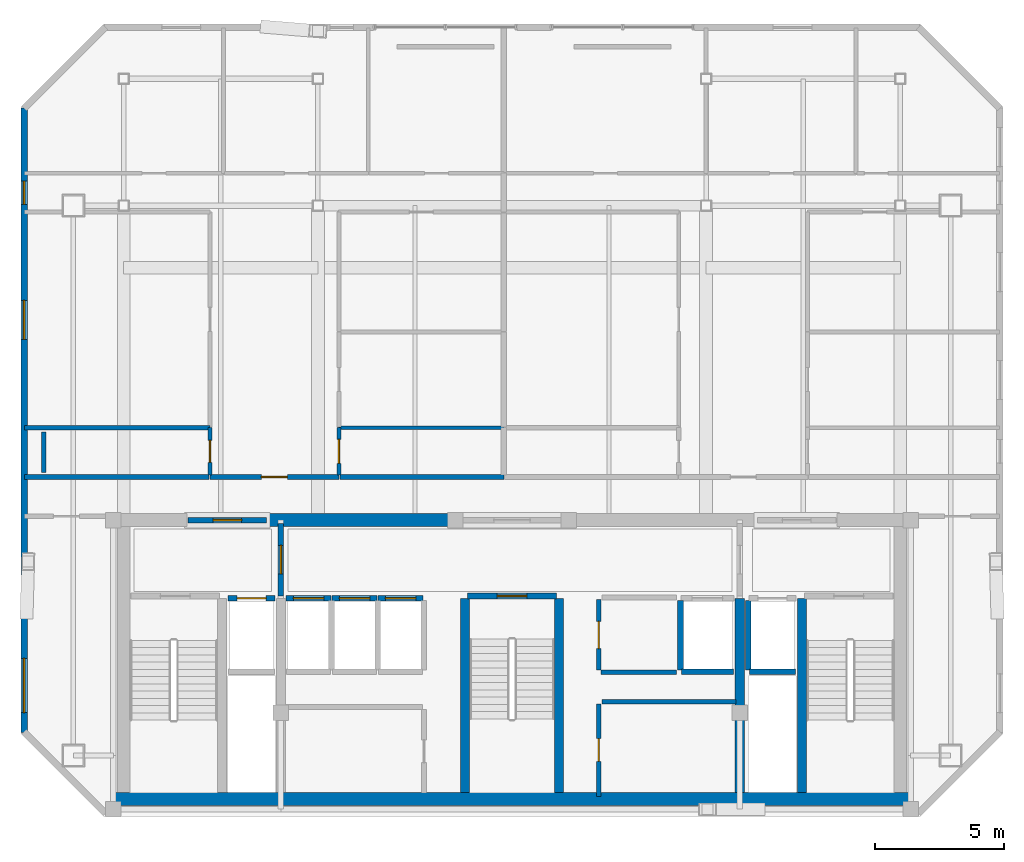
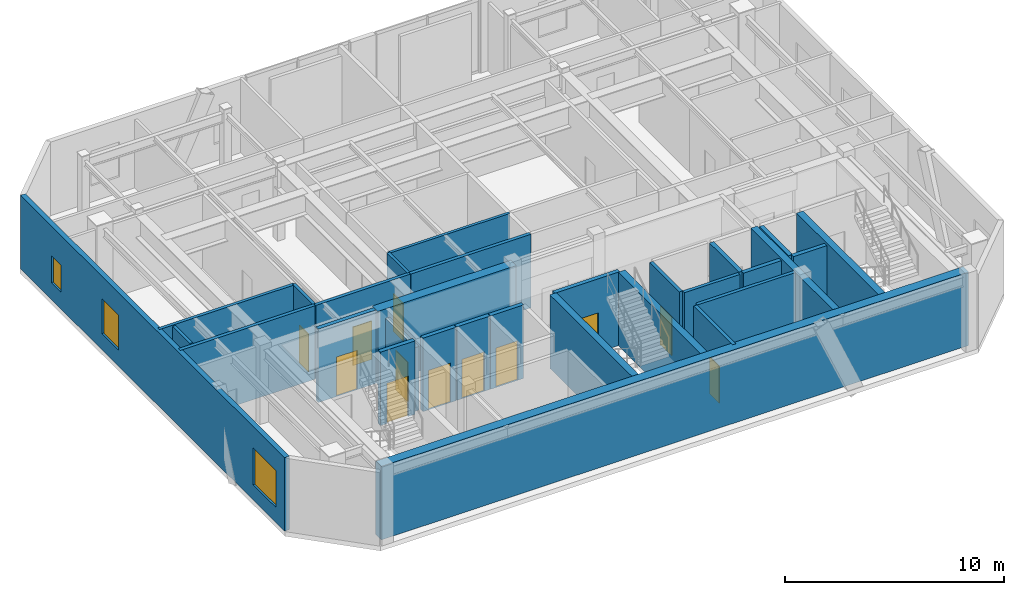
# One storey, part 6 of 10: 30 walls, 12 doors, 3 windows, 15 openings.
"""IFC4 building model written with IfcOpenShell, lengths in metres."""

from ifc_helpers import new_model, si_unit, direction, frame, frame_2d, origin, place, context, subcontext, project, spatial, rectangle, extrude, material, layer, layer_set, type_object, element, fill, save


model = new_model("IFC4")

# Units and contexts
model_context = context("Model", 3, precision=1e-05, world=origin(), true_north=direction((0.0, 1.0)))
body_context = subcontext(model_context, "Body", "Model", "MODEL_VIEW")
ifc_project = project(units=[si_unit("LENGTHUNIT", "METRE"), si_unit("AREAUNIT", "SQUARE_METRE"), si_unit("VOLUMEUNIT", "CUBIC_METRE"), si_unit("PLANEANGLEUNIT", "RADIAN"), si_unit("MASSUNIT", "GRAM", prefix="KILO")], contexts=[model_context])

# Site, building, storey
site_placement = place(None, origin())
site = spatial("IfcSite", under=ifc_project, at=site_placement, CompositionType="ELEMENT")
building_placement = place(site_placement, origin())
building = spatial("IfcBuilding", under=site, at=building_placement, Name="Ventersveld Concourse Tower", CompositionType="ELEMENT")
storey_placement = place(building_placement, frame((0.0, 0.0, 362.25)))
storey = spatial("IfcBuildingStorey", under=building, at=storey_placement, Name="L89", CompositionType="ELEMENT", Elevation=362.25)

# Walls
ifc_material_1 = material(Name="Concrete C50/60", Category="concrete")
ifc_layer_1 = layer(ifc_material_1, 0.35009765625)
ifc_layer_set_1 = layer_set([ifc_layer_1], Name="Concrete C50/60")
wall_type_1 = type_object("IfcWallType", Name="WL-CORE-350U", PredefinedType="SHEAR", material=ifc_layer_set_1)
for number, where, z_axis, x_axis, name in (
    (1, (26.93994140625, 0.919921875, 0.0), (0.0, 0.0, 1.0), (0.0, 1.0, 0.0), "L89 Core Internal Shear Web W-ST3-W"),
    (2, (30.56005859375, 0.919921875, 0.0), (0.0, 0.0, 1.0), (0.0, 1.0, 0.0), "L89 Core Internal Shear Web W-ST3-E"),
    (3, (37.550048828125, 0.919921875, 0.0), (0.0, 0.0, 1.0), (0.0, 1.0, 0.0), "L89 Core Internal Shear Web W-SVL-W"),
    (4, (39.9599609375, 0.919921875, 0.0), (0.0, 0.0, 1.0), (0.0, 1.0, 0.0), "L89 Core Internal Shear Web W-ST2-W"),
):
    element("IfcWall", number, at=place(storey_placement, frame(where, z_axis=z_axis, x_axis=x_axis)), inside=storey, type_object=wall_type_1, Name=name, PredefinedType="SHEAR", context=body_context, shape_type="SweptSolid", body=[
        extrude(rectangle(XDim=7.5, YDim=0.35009765625, at=frame_2d((3.75, 0.0))), origin(), (0.0, 0.0, 1.0), 4.10009765625),
    ])
ifc_layer_2 = layer(ifc_material_1, 0.5)
ifc_layer_set_2 = layer_set([ifc_layer_2], Name="Concrete C50/60")
wall_type_2 = type_object("IfcWallType", Name="WL-CORE-500", PredefinedType="SHEAR", material=ifc_layer_set_2)
wall_1_placement = place(storey_placement, frame((13.25, 0.669921875, 0.0), z_axis=(0.0, 0.0, 1.0), x_axis=(1.0, 0.0, 0.0)))
element("IfcWall", 5, at=wall_1_placement, inside=storey, type_object=wall_type_2, Name="L89 Rear Core South Shear Wall", PredefinedType="SHEAR", context=body_context, shape_type="SweptSolid", body=[
    extrude(rectangle(XDim=31.0, YDim=0.5, at=frame_2d((15.5, 0.0))), origin(), (0.0, 0.0, 1.0), 4.10009765625),
])
wall_2_placement = place(storey_placement, frame((19.300048828125, 11.449951171875, 0.0), z_axis=(0.0, 0.0, 1.0), x_axis=(1.0, 0.0, 0.0)))
element("IfcWall", 6, at=wall_2_placement, inside=storey, type_object=wall_type_2, Name="L89 Rear Core North Shear Wall NML", PredefinedType="SHEAR", context=body_context, shape_type="SweptSolid", body=[
    extrude(rectangle(XDim=7.300048828125, YDim=0.5, at=frame_2d((3.64990234375, 0.0))), origin(), (0.0, 0.0, 1.0), 4.10009765625),
])

# Wall, opening, door
ifc_material_2 = material(Name="Fire-rated autoclaved aerated masonry blockwork", Category="masonry")
ifc_layer_3 = layer(ifc_material_2, 0.179931640625)
ifc_layer_set_3 = layer_set([ifc_layer_3], Name="Fire-rated autoclaved aerated masonry blockwork")
wall_type_3 = type_object("IfcWallType", Name="WL-CORR-180", PredefinedType="PARTITIONING", material=ifc_layer_set_3)
wall_3_placement = place(storey_placement, frame((32.10009765625, 0.780029296875, 0.0), z_axis=(0.0, 0.0, 1.0), x_axis=(0.0, 1.0, 0.0)))
wall_3 = element("IfcWall", 7, at=wall_3_placement, inside=storey, type_object=wall_type_3, Name="L89 Core Passage Wall SP-L89-RECB2A", PredefinedType="PARTITIONING", context=body_context, shape_type="SweptSolid", body=[
    extrude(rectangle(XDim=3.570068359375, YDim=0.179931640625, at=frame_2d((1.78515625, 0.0))), origin(), (0.0, 0.0, 1.0), 4.10009765625),
])
opening_1_placement = place(wall_3_placement, frame((1.344970703125, 0.0, 0.0)))
opening_1 = element("IfcOpeningElement", 8, at=opening_1_placement, cuts=wall_3, Name="Opening FD5", PredefinedType="OPENING", context=body_context, shape_type="SweptSolid", body=[
    extrude(rectangle(XDim=0.8798828125, YDim=2.050048828125, at=frame_2d((0.43994140625, 1.02490234375))), frame((0.0, 0.10009765625, 0.0), z_axis=(0.0, -1.0, 0.0), x_axis=(1.0, 0.0, 0.0)), (0.0, 0.0, 1.0), 0.199951171875),
])
ifc_material_3 = material(Name="Galvanised painted steel", Category="steel")
door_type_1 = type_object("IfcDoorType", Name="DR-RISER-088", OperationType="NOTDEFINED", PredefinedType="DOOR", material=ifc_material_3)
door_1_placement = place(opening_1_placement, origin())
door_1 = element("IfcDoor", 9, at=door_1_placement, inside=storey, type_object=door_type_1, Name="L89 Core Room Door L89 Reclaimed Core Co-Working Study (CD-L89-3937)", OperationType="SINGLE_SWING_RIGHT", OverallHeight=2.050048828125, OverallWidth=0.8798828125, PredefinedType="DOOR", context=body_context, shape_type="SweptSolid", body=[
    extrude(rectangle(XDim=0.8798828125, YDim=2.050048828125, at=frame_2d((0.43994140625, 1.02490234375))), frame((0.0, 0.02490234375, 0.0), z_axis=(0.0, -1.0, 0.0), x_axis=(1.0, 0.0, 0.0)), (0.0, 0.0, 1.0), 0.050048828125),
])
fill(opening_1, door_1)

# Wall
wall_4_placement = place(storey_placement, frame((32.219970703125, 4.429931640625, 0.0), z_axis=(0.0, 0.0, 1.0), x_axis=(1.0, 0.0, 0.0)))
element("IfcWall", 10, at=wall_4_placement, inside=storey, type_object=wall_type_3, Name="L89 Core Top Wall SP-L89-RECB2A", PredefinedType="PARTITIONING", context=body_context, shape_type="SweptSolid", body=[
    extrude(rectangle(XDim=5.179931640625, YDim=0.179931640625, at=frame_2d((2.58984375, 0.0))), origin(), (0.0, 0.0, 1.0), 4.10009765625),
])

# Wall, opening, door
wall_5_placement = place(storey_placement, frame((32.10009765625, 5.64990234375, 0.0), z_axis=(0.0, 0.0, 1.0), x_axis=(0.0, 1.0, 0.0)))
wall_5 = element("IfcWall", 11, at=wall_5_placement, inside=storey, type_object=wall_type_3, Name="L89 Core Passage Wall SP-L89-CBAY1", PredefinedType="PARTITIONING", context=body_context, shape_type="SweptSolid", body=[
    extrude(rectangle(XDim=2.72998046875, YDim=0.179931640625, at=frame_2d((1.364990234375, 0.0))), origin(), (0.0, 0.0, 1.0), 4.10009765625),
])
opening_2_placement = place(wall_5_placement, frame((0.840087890625, 0.0, 0.0)))
opening_2 = element("IfcOpeningElement", 12, at=opening_2_placement, cuts=wall_5, Name="Opening ID3", PredefinedType="OPENING", context=body_context, shape_type="SweptSolid", body=[
    extrude(rectangle(XDim=1.050048828125, YDim=2.14990234375, at=frame_2d((0.52490234375, 1.074951171875))), frame((0.0, 0.10009765625, 0.0), z_axis=(0.0, -1.0, 0.0), x_axis=(1.0, 0.0, 0.0)), (0.0, 0.0, 1.0), 0.199951171875),
])
ifc_material_4 = material(Name="Solid-core hardwood veneer timber", Category="wood")
door_type_2 = type_object("IfcDoorType", Name="DR-AWC-105", OperationType="NOTDEFINED", PredefinedType="DOOR", material=ifc_material_4)
door_2_placement = place(opening_2_placement, origin())
door_2 = element("IfcDoor", 13, at=door_2_placement, inside=storey, type_object=door_type_2, Name="L89 Core Room Door L89 Core Unisex Accessible WC (CD-L89-3938)", OperationType="SINGLE_SWING_LEFT", OverallHeight=2.14990234375, OverallWidth=1.050048828125, PredefinedType="DOOR", context=body_context, shape_type="SweptSolid", body=[
    extrude(rectangle(XDim=1.050048828125, YDim=2.14990234375, at=frame_2d((0.52490234375, 1.074951171875))), frame((0.0, 0.02490234375, 0.0), z_axis=(0.0, -1.0, 0.0), x_axis=(1.0, 0.0, 0.0)), (0.0, 0.0, 1.0), 0.050048828125),
])
fill(opening_2, door_2)

# Wall
wall_6_placement = place(storey_placement, frame((32.179931640625, 5.570068359375, 0.0), z_axis=(0.0, 0.0, 1.0), x_axis=(1.0, 0.0, 0.0)))
element("IfcWall", 14, at=wall_6_placement, inside=storey, type_object=wall_type_3, Name="L89 Core Bot Wall SP-L89-CBAY1", PredefinedType="PARTITIONING", context=body_context, shape_type="SweptSolid", body=[
    extrude(rectangle(XDim=2.920166015625, YDim=0.179931640625, at=frame_2d((1.4599609375, 0.0))), origin(), (0.0, 0.0, 1.0), 4.10009765625),
])

# Wall, opening, door
wall_7_placement = place(storey_placement, frame((17.07568359375, 13.114990234375, 0.0), z_axis=(0.0, 0.0, 1.0), x_axis=(1.0, 0.0, 0.0)))
wall_7 = element("IfcWall", 15, at=wall_7_placement, inside=storey, type_object=wall_type_3, Name="L89 Interior Partition SP-L89-COR-SP-L89-89N1-LIV", PredefinedType="PARTITIONING", context=body_context, shape_type="SweptSolid", body=[
    extrude(rectangle(XDim=4.989990234375, YDim=0.179931640625, at=frame_2d((2.4951171875, 0.0))), origin(), (0.0, 0.0, 1.0), 4.10009765625),
])
opening_3_placement = place(wall_7_placement, frame((1.9951171875, 0.0, 0.0)))
opening_3 = element("IfcOpeningElement", 16, at=opening_3_placement, cuts=wall_7, Name="Opening FD3", PredefinedType="OPENING", context=body_context, shape_type="SweptSolid", body=[
    extrude(rectangle(XDim=1.0, YDim=2.14990234375, at=frame_2d((0.5, 1.074951171875))), frame((0.0, 0.10009765625, 0.0), z_axis=(0.0, -1.0, 0.0), x_axis=(1.0, 0.0, 0.0)), (0.0, 0.0, 1.0), 0.199951171875),
])
door_type_3 = type_object("IfcDoorType", Name="DR-FLAT-100", OperationType="NOTDEFINED", PredefinedType="DOOR", material=ifc_material_4)
door_3_placement = place(opening_3_placement, origin())
door_3 = element("IfcDoor", 17, at=door_3_placement, inside=storey, type_object=door_type_3, Name="L89 Interior Door SP-L89-COR to SP-L89-89N1-LIV (FD-L89-3941)", OperationType="SINGLE_SWING_LEFT", OverallHeight=2.14990234375, OverallWidth=1.0, PredefinedType="DOOR", context=body_context, shape_type="SweptSolid", body=[
    extrude(rectangle(XDim=1.0, YDim=2.14990234375, at=frame_2d((0.5, 1.074951171875))), frame((0.0, 0.02490234375, 0.0), z_axis=(0.0, -1.0, 0.0), x_axis=(1.0, 0.0, 0.0)), (0.0, 0.0, 1.0), 0.050048828125),
])
fill(opening_3, door_3)

# Walls
wall_8_placement = place(storey_placement, frame((9.924560546875, 13.114990234375, 0.0), z_axis=(0.0, 0.0, 1.0), x_axis=(1.0, 0.0, 0.0)))
element("IfcWall", 18, at=wall_8_placement, inside=storey, type_object=wall_type_3, Name="L89 Interior Partition SP-L89-COR-SP-L89-89N1-BATH", PredefinedType="PARTITIONING", context=body_context, shape_type="SweptSolid", body=[
    extrude(rectangle(XDim=7.12109375, YDim=0.179931640625, at=frame_2d((3.560546875, 0.0))), origin(), (0.0, 0.0, 1.0), 4.10009765625),
])
wall_9_placement = place(storey_placement, frame((22.095703125, 13.114990234375, 0.0), z_axis=(0.0, 0.0, 1.0), x_axis=(1.0, 0.0, 0.0)))
element("IfcWall", 19, at=wall_9_placement, inside=storey, type_object=wall_type_3, Name="L89 Interior Partition SP-L89-COR-SP-L89-89N1-KIT", PredefinedType="PARTITIONING", context=body_context, shape_type="SweptSolid", body=[
    extrude(rectangle(XDim=6.338623046875, YDim=0.179931640625, at=frame_2d((3.16943359375, 0.0))), origin(), (0.0, 0.0, 1.0), 4.10009765625),
])

# Wall, opening, door
ifc_layer_4 = layer(ifc_material_2, 0.219970703125)
ifc_layer_set_4 = layer_set([ifc_layer_4], Name="Fire-rated autoclaved aerated masonry blockwork")
wall_type_4 = type_object("IfcWallType", Name="WL-HOIST-220", PredefinedType="SOLIDWALL", material=ifc_layer_set_4)
wall_10_placement = place(storey_placement, frame((17.780029296875, 8.429931640625, 0.0), z_axis=(0.0, 0.0, 1.0), x_axis=(1.0, 0.0, 0.0)))
wall_10 = element("IfcWall", 20, at=wall_10_placement, inside=storey, type_object=wall_type_4, Name="L89 Lift Hoistway Front Wall FFL-01", PredefinedType="SOLIDWALL", context=body_context, shape_type="SweptSolid", body=[
    extrude(rectangle(XDim=1.820068359375, YDim=0.219970703125, at=frame_2d((0.91015625, 0.0))), origin(), (0.0, 0.0, 1.0), 4.10009765625),
])
opening_4_placement = place(wall_10_placement, frame((0.35009765625, 0.0, 0.0)))
opening_4 = element("IfcOpeningElement", 21, at=opening_4_placement, cuts=wall_10, Name="Opening LD1", PredefinedType="OPENING", context=body_context, shape_type="SweptSolid", body=[
    extrude(rectangle(XDim=1.1201171875, YDim=2.25, at=frame_2d((0.56005859375, 1.125))), frame((0.0, 0.1201171875, 0.0), z_axis=(0.0, -1.0, 0.0), x_axis=(1.0, 0.0, 0.0)), (0.0, 0.0, 1.0), 0.239990234375),
])
ifc_material_5 = material(Name="Brushed stainless steel 316", Category="steel")
door_type_4 = type_object("IfcDoorType", Name="LD-FF-112", OperationType="SLIDING_TO_LEFT", PredefinedType="DOOR", material=ifc_material_5)
door_4_placement = place(opening_4_placement, origin())
door_4 = element("IfcDoor", 22, at=door_4_placement, inside=storey, type_object=door_type_4, Name="L89 Lift landing door FFL-01 (LD-L89-FFL-01)", OperationType="SLIDING_TO_RIGHT", OverallHeight=2.25, OverallWidth=1.1201171875, PredefinedType="DOOR", context=body_context, shape_type="SweptSolid", body=[
    extrude(rectangle(XDim=1.1201171875, YDim=2.25, at=frame_2d((0.56005859375, 1.125))), frame((0.0, 0.02490234375, 0.0), z_axis=(0.0, -1.0, 0.0), x_axis=(1.0, 0.0, 0.0)), (0.0, 0.0, 1.0), 0.050048828125),
])
fill(opening_4, door_4)

# Walls
wall_11_placement = place(storey_placement, frame((37.919921875, 5.590087890625, 0.0), z_axis=(0.0, 0.0, 1.0), x_axis=(1.0, 0.0, 0.0)))
element("IfcWall", 23, at=wall_11_placement, inside=storey, type_object=wall_type_4, Name="L89 Lift Hoistway Back Wall FFL-02", PredefinedType="SOLIDWALL", context=body_context, shape_type="SweptSolid", body=[
    extrude(rectangle(XDim=1.780029296875, YDim=0.219970703125, at=frame_2d((0.89013671875, 0.0))), origin(), (0.0, 0.0, 1.0), 4.10009765625),
])
wall_12_placement = place(storey_placement, frame((37.8798828125, 5.64990234375, 0.0), z_axis=(0.0, 0.0, 1.0), x_axis=(0.0, 1.0, 0.0)))
element("IfcWall", 24, at=wall_12_placement, inside=storey, type_object=wall_type_4, Name="L89 Lift Hoistway Side Wall FFL-02W", PredefinedType="SOLIDWALL", context=body_context, shape_type="SweptSolid", body=[
    extrude(rectangle(XDim=2.7001953125, YDim=0.219970703125, at=frame_2d((1.35009765625, 0.0))), origin(), (0.0, 0.0, 1.0), 4.10009765625),
])
wall_13_placement = place(storey_placement, frame((35.300048828125, 5.590087890625, 0.0), z_axis=(0.0, 0.0, 1.0), x_axis=(1.0, 0.0, 0.0)))
element("IfcWall", 25, at=wall_13_placement, inside=storey, type_object=wall_type_4, Name="L89 Lift Hoistway Back Wall SVL-01", PredefinedType="SOLIDWALL", context=body_context, shape_type="SweptSolid", body=[
    extrude(rectangle(XDim=2.0, YDim=0.219970703125, at=frame_2d((1.0, 0.0))), origin(), (0.0, 0.0, 1.0), 4.10009765625),
])
wall_14_placement = place(storey_placement, frame((35.260009765625, 5.64990234375, 0.0), z_axis=(0.0, 0.0, 1.0), x_axis=(0.0, 1.0, 0.0)))
element("IfcWall", 26, at=wall_14_placement, inside=storey, type_object=wall_type_4, Name="L89 Lift Hoistway Side Wall SVL-01W", PredefinedType="SOLIDWALL", context=body_context, shape_type="SweptSolid", body=[
    extrude(rectangle(XDim=2.7001953125, YDim=0.219970703125, at=frame_2d((1.35009765625, 0.0))), origin(), (0.0, 0.0, 1.0), 4.10009765625),
])

# Wall, opening, door
wall_15_placement = place(storey_placement, frame((20.02001953125, 8.429931640625, 0.0), z_axis=(0.0, 0.0, 1.0), x_axis=(1.0, 0.0, 0.0)))
wall_15 = element("IfcWall", 27, at=wall_15_placement, inside=storey, type_object=wall_type_4, Name="L89 Lift Hoistway Front Wall PH-01", PredefinedType="SOLIDWALL", context=body_context, shape_type="SweptSolid", body=[
    extrude(rectangle(XDim=1.739990234375, YDim=0.219970703125, at=frame_2d((0.8701171875, 0.0))), origin(), (0.0, 0.0, 1.0), 4.10009765625),
])
opening_5_placement = place(wall_15_placement, frame((0.280029296875, 0.0, 0.0)))
opening_5 = element("IfcOpeningElement", 28, at=opening_5_placement, cuts=wall_15, Name="Opening LD2", PredefinedType="OPENING", context=body_context, shape_type="SweptSolid", body=[
    extrude(rectangle(XDim=1.179931640625, YDim=2.199951171875, at=frame_2d((0.58984375, 1.10009765625))), frame((0.0, 0.1201171875, 0.0), z_axis=(0.0, -1.0, 0.0), x_axis=(1.0, 0.0, 0.0)), (0.0, 0.0, 1.0), 0.239990234375),
])
door_type_5 = type_object("IfcDoorType", Name="LD-PAX-118", OperationType="SLIDING_TO_LEFT", PredefinedType="DOOR", material=ifc_material_5)
door_5_placement = place(opening_5_placement, origin())
door_5 = element("IfcDoor", 29, at=door_5_placement, inside=storey, type_object=door_type_5, Name="L89 Lift landing door PH-01 (LD-L89-PH-01)", OperationType="SLIDING_TO_LEFT", OverallHeight=2.199951171875, OverallWidth=1.179931640625, PredefinedType="DOOR", context=body_context, shape_type="SweptSolid", body=[
    extrude(rectangle(XDim=1.179931640625, YDim=2.199951171875, at=frame_2d((0.58984375, 1.10009765625))), frame((0.0, 0.02490234375, 0.0), z_axis=(0.0, -1.0, 0.0), x_axis=(1.0, 0.0, 0.0)), (0.0, 0.0, 1.0), 0.050048828125),
])
fill(opening_5, door_5)

wall_16_placement = place(storey_placement, frame((21.800048828125, 8.429931640625, 0.0), z_axis=(0.0, 0.0, 1.0), x_axis=(1.0, 0.0, 0.0)))
wall_16 = element("IfcWall", 30, at=wall_16_placement, inside=storey, type_object=wall_type_4, Name="L89 Lift Hoistway Front Wall PH-02", PredefinedType="SOLIDWALL", context=body_context, shape_type="SweptSolid", body=[
    extrude(rectangle(XDim=1.739990234375, YDim=0.219970703125, at=frame_2d((0.8701171875, 0.0))), origin(), (0.0, 0.0, 1.0), 4.10009765625),
])
opening_6_placement = place(wall_16_placement, frame((0.280029296875, 0.0, 0.0)))
opening_6 = element("IfcOpeningElement", 31, at=opening_6_placement, cuts=wall_16, Name="Opening LD2", PredefinedType="OPENING", context=body_context, shape_type="SweptSolid", body=[
    extrude(rectangle(XDim=1.179931640625, YDim=2.199951171875, at=frame_2d((0.58984375, 1.10009765625))), frame((0.0, 0.1201171875, 0.0), z_axis=(0.0, -1.0, 0.0), x_axis=(1.0, 0.0, 0.0)), (0.0, 0.0, 1.0), 0.239990234375),
])
door_6_placement = place(opening_6_placement, origin())
door_6 = element("IfcDoor", 32, at=door_6_placement, inside=storey, type_object=door_type_5, Name="L89 Lift landing door PH-02 (LD-L89-PH-02)", OperationType="SLIDING_TO_RIGHT", OverallHeight=2.199951171875, OverallWidth=1.179931640625, PredefinedType="DOOR", context=body_context, shape_type="SweptSolid", body=[
    extrude(rectangle(XDim=1.179931640625, YDim=2.199951171875, at=frame_2d((0.58984375, 1.10009765625))), frame((0.0, 0.02490234375, 0.0), z_axis=(0.0, -1.0, 0.0), x_axis=(1.0, 0.0, 0.0)), (0.0, 0.0, 1.0), 0.050048828125),
])
fill(opening_6, door_6)

wall_17_placement = place(storey_placement, frame((23.580078125, 8.429931640625, 0.0), z_axis=(0.0, 0.0, 1.0), x_axis=(1.0, 0.0, 0.0)))
wall_17 = element("IfcWall", 33, at=wall_17_placement, inside=storey, type_object=wall_type_4, Name="L89 Lift Hoistway Front Wall PH-03", PredefinedType="SOLIDWALL", context=body_context, shape_type="SweptSolid", body=[
    extrude(rectangle(XDim=1.739990234375, YDim=0.219970703125, at=frame_2d((0.8701171875, 0.0))), origin(), (0.0, 0.0, 1.0), 4.10009765625),
])
opening_7_placement = place(wall_17_placement, frame((0.280029296875, 0.0, 0.0)))
opening_7 = element("IfcOpeningElement", 34, at=opening_7_placement, cuts=wall_17, Name="Opening LD2", PredefinedType="OPENING", context=body_context, shape_type="SweptSolid", body=[
    extrude(rectangle(XDim=1.179931640625, YDim=2.199951171875, at=frame_2d((0.58984375, 1.10009765625))), frame((0.0, 0.1201171875, 0.0), z_axis=(0.0, -1.0, 0.0), x_axis=(1.0, 0.0, 0.0)), (0.0, 0.0, 1.0), 0.239990234375),
])
door_7_placement = place(opening_7_placement, origin())
door_7 = element("IfcDoor", 35, at=door_7_placement, inside=storey, type_object=door_type_5, Name="L89 Lift landing door PH-03 (LD-L89-PH-03)", OperationType="SLIDING_TO_LEFT", OverallHeight=2.199951171875, OverallWidth=1.179931640625, PredefinedType="DOOR", context=body_context, shape_type="SweptSolid", body=[
    extrude(rectangle(XDim=1.179931640625, YDim=2.199951171875, at=frame_2d((0.58984375, 1.10009765625))), frame((0.0, 0.02490234375, 0.0), z_axis=(0.0, -1.0, 0.0), x_axis=(1.0, 0.0, 0.0)), (0.0, 0.0, 1.0), 0.050048828125),
])
fill(opening_7, door_7)

wall_18_placement = place(storey_placement, frame((27.0400390625, 8.52001953125, 0.0), z_axis=(0.0, 0.0, 1.0), x_axis=(1.0, 0.0, 0.0)))
wall_18 = element("IfcWall", 36, at=wall_18_placement, inside=storey, type_object=wall_type_4, Name="L89 Escape Stair ST03 Fire Wall", PredefinedType="SOLIDWALL", context=body_context, shape_type="SweptSolid", body=[
    extrude(rectangle(XDim=3.419921875, YDim=0.219970703125, at=frame_2d((1.7099609375, 0.0))), origin(), (0.0, 0.0, 1.0), 4.10009765625),
])
opening_8_placement = place(wall_18_placement, frame((1.135009765625, 0.0, 0.0)))
opening_8 = element("IfcOpeningElement", 37, at=opening_8_placement, cuts=wall_18, Name="Opening FD1", PredefinedType="OPENING", context=body_context, shape_type="SweptSolid", body=[
    extrude(rectangle(XDim=1.14990234375, YDim=2.199951171875, at=frame_2d((0.574951171875, 1.10009765625))), frame((0.0, 0.1201171875, 0.0), z_axis=(0.0, -1.0, 0.0), x_axis=(1.0, 0.0, 0.0)), (0.0, 0.0, 1.0), 0.239990234375),
])
door_type_6 = type_object("IfcDoorType", Name="DR-STAIR-115", OperationType="NOTDEFINED", PredefinedType="DOOR", material=ifc_material_3)
door_8_placement = place(opening_8_placement, origin())
door_8 = element("IfcDoor", 38, at=door_8_placement, inside=storey, type_object=door_type_6, Name="L89 Escape Stair Door ST03 (SD-L89-3930)", OperationType="SINGLE_SWING_LEFT", OverallHeight=2.199951171875, OverallWidth=1.14990234375, PredefinedType="DOOR", context=body_context, shape_type="SweptSolid", body=[
    extrude(rectangle(XDim=1.14990234375, YDim=2.199951171875, at=frame_2d((0.574951171875, 1.10009765625))), frame((0.0, 0.02490234375, 0.0), z_axis=(0.0, -1.0, 0.0), x_axis=(1.0, 0.0, 0.0)), (0.0, 0.0, 1.0), 0.050048828125),
])
fill(opening_8, door_8)

wall_19_placement = place(storey_placement, frame((19.820068359375, 8.52001953125, 0.0), z_axis=(0.0, 0.0, 1.0), x_axis=(0.0, 1.0, 0.0)))
wall_19 = element("IfcWall", 39, at=wall_19_placement, inside=storey, type_object=wall_type_4, Name="L89 Firefighting Lobby Smoke-Stop Wall FFLW-SEP", PredefinedType="SOLIDWALL", context=body_context, shape_type="SweptSolid", body=[
    extrude(rectangle(XDim=2.800048828125, YDim=0.219970703125, at=frame_2d((1.39990234375, 0.0))), origin(), (0.0, 0.0, 1.0), 3.555419921875),
])
opening_9_placement = place(wall_19_placement, frame((0.85009765625, 0.0, 0.0)))
opening_9 = element("IfcOpeningElement", 40, at=opening_9_placement, cuts=wall_19, Name="Opening FD2", PredefinedType="OPENING", context=body_context, shape_type="SweptSolid", body=[
    extrude(rectangle(XDim=1.10009765625, YDim=2.199951171875, at=frame_2d((0.550048828125, 1.10009765625))), frame((0.0, 0.1201171875, 0.0), z_axis=(0.0, -1.0, 0.0), x_axis=(1.0, 0.0, 0.0)), (0.0, 0.0, 1.0), 0.239990234375),
])
door_type_7 = type_object("IfcDoorType", Name="DR-FFL-110", OperationType="NOTDEFINED", PredefinedType="DOOR", material=ifc_material_3)
door_9_placement = place(opening_9_placement, origin())
door_9 = element("IfcDoor", 41, at=door_9_placement, inside=storey, type_object=door_type_7, Name="L89 Firefighting Lobby Door FFLW-SEP (FD-L89-3931)", OperationType="SINGLE_SWING_LEFT", OverallHeight=2.199951171875, OverallWidth=1.10009765625, PredefinedType="DOOR", context=body_context, shape_type="SweptSolid", body=[
    extrude(rectangle(XDim=1.10009765625, YDim=2.199951171875, at=frame_2d((0.550048828125, 1.10009765625))), frame((0.0, 0.02490234375, 0.0), z_axis=(0.0, -1.0, 0.0), x_axis=(1.0, 0.0, 0.0)), (0.0, 0.0, 1.0), 0.050048828125),
])
fill(opening_9, door_9)

wall_20_placement = place(storey_placement, frame((16.22998046875, 11.449951171875, 0.0), z_axis=(0.0, 0.0, 1.0), x_axis=(1.0, 0.0, 0.0)))
wall_20 = element("IfcWall", 42, at=wall_20_placement, inside=storey, type_object=wall_type_4, Name="L89 Core North Fire Portal FFLW-OUT", PredefinedType="SOLIDWALL", context=body_context, shape_type="SweptSolid", body=[
    extrude(rectangle(XDim=3.0400390625, YDim=0.219970703125, at=frame_2d((1.52001953125, 0.0))), origin(), (0.0, 0.0, 1.0), 4.10009765625),
])
opening_10_placement = place(wall_20_placement, frame((0.969970703125, 0.0, 0.0)))
opening_10 = element("IfcOpeningElement", 43, at=opening_10_placement, cuts=wall_20, Name="Opening FD2", PredefinedType="OPENING", context=body_context, shape_type="SweptSolid", body=[
    extrude(rectangle(XDim=1.10009765625, YDim=2.199951171875, at=frame_2d((0.550048828125, 1.10009765625))), frame((0.0, 0.1201171875, 0.0), z_axis=(0.0, -1.0, 0.0), x_axis=(1.0, 0.0, 0.0)), (0.0, 0.0, 1.0), 0.239990234375),
])
door_10_placement = place(opening_10_placement, origin())
door_10 = element("IfcDoor", 44, at=door_10_placement, inside=storey, type_object=door_type_7, Name="L89 Core Lobby Fire Door FFLW-OUT (FD-L89-3933)", OperationType="SINGLE_SWING_RIGHT", OverallHeight=2.199951171875, OverallWidth=1.10009765625, PredefinedType="DOOR", context=body_context, shape_type="SweptSolid", body=[
    extrude(rectangle(XDim=1.10009765625, YDim=2.199951171875, at=frame_2d((0.550048828125, 1.10009765625))), frame((0.0, 0.02490234375, 0.0), z_axis=(0.0, -1.0, 0.0), x_axis=(1.0, 0.0, 0.0)), (0.0, 0.0, 1.0), 0.050048828125),
])
fill(opening_10, door_10)

ifc_material_6 = material(Name="Autoclaved aerated masonry blockwork", Category="masonry")
ifc_layer_5 = layer(ifc_material_6, 0.14990234375)
ifc_layer_set_5 = layer_set([ifc_layer_5], Name="Autoclaved aerated masonry blockwork")
wall_type_5 = type_object("IfcWallType", Name="WL-INT-150", PredefinedType="PARTITIONING", material=ifc_layer_set_5)
wall_21_placement = place(storey_placement, frame((22.060791015625, 13.18505859375, 0.0), z_axis=(0.0, 0.0, 1.0), x_axis=(0.0, 1.0, 0.0)))
wall_21 = element("IfcWall", 45, at=wall_21_placement, inside=storey, type_object=wall_type_5, Name="L89 Interior Partition SP-L89-89N1-LIV-SP-L89-89N1-KIT", PredefinedType="PARTITIONING", context=body_context, shape_type="SweptSolid", body=[
    extrude(rectangle(XDim=1.83984375, YDim=0.14990234375, at=frame_2d((0.919921875, 0.0))), origin(), (0.0, 0.0, 1.0), 4.10009765625),
])
opening_11_placement = place(wall_21_placement, frame((0.4599609375, 0.0, 0.0)))
opening_11 = element("IfcOpeningElement", 46, at=opening_11_placement, cuts=wall_21, Name="Opening ID1", PredefinedType="OPENING", context=body_context, shape_type="SweptSolid", body=[
    extrude(rectangle(XDim=0.919921875, YDim=2.10009765625, at=frame_2d((0.4599609375, 1.050048828125))), frame((0.0, 0.0849609375, 0.0), z_axis=(0.0, -1.0, 0.0), x_axis=(1.0, 0.0, 0.0)), (0.0, 0.0, 1.0), 0.169921875),
])
door_type_8 = type_object("IfcDoorType", Name="DR-ROOM-092", OperationType="NOTDEFINED", PredefinedType="DOOR", material=ifc_material_4)
door_11_placement = place(opening_11_placement, origin())
door_11 = element("IfcDoor", 47, at=door_11_placement, inside=storey, type_object=door_type_8, Name="L89 Interior Door SP-L89-89N1-LIV to SP-L89-89N1-KIT (D-L89-3945)", OperationType="SINGLE_SWING_LEFT", OverallHeight=2.10009765625, OverallWidth=0.919921875, PredefinedType="DOOR", context=body_context, shape_type="SweptSolid", body=[
    extrude(rectangle(XDim=0.919921875, YDim=2.10009765625, at=frame_2d((0.4599609375, 1.050048828125))), frame((0.0, 0.02490234375, 0.0), z_axis=(0.0, -1.0, 0.0), x_axis=(1.0, 0.0, 0.0)), (0.0, 0.0, 1.0), 0.050048828125),
])
fill(opening_11, door_11)

# Wall
wall_22_placement = place(storey_placement, frame((22.0556640625, 15.02001953125, 0.0), z_axis=(0.0, 0.0, 1.0), x_axis=(1.0, 0.0, 0.0)))
element("IfcWall", 48, at=wall_22_placement, inside=storey, type_object=wall_type_5, Name="L89 Interior Partition SP-L89-89N1-KIT-SP-L89-89N1-DENR", PredefinedType="PARTITIONING", context=body_context, shape_type="SweptSolid", body=[
    extrude(rectangle(XDim=6.378662109375, YDim=0.14990234375, at=frame_2d((3.189453125, 0.0))), origin(), (0.0, 0.0, 1.0), 4.10009765625),
])

# Wall, openings, windows
ifc_material_7 = material(Name="Precast concrete C45/55", Category="concrete")
ifc_layer_6 = layer(ifc_material_7, 0.260009765625)
ifc_layer_set_6 = layer_set([ifc_layer_6], Name="Precast concrete C45/55")
wall_type_6 = type_object("IfcWallType", Name="WL-PREC-260", PredefinedType="SOLIDWALL", material=ifc_layer_set_6)
wall_23_placement = place(storey_placement, frame((9.905029296875, 27.3798828125, 0.0), z_axis=(0.0, 0.0, 1.0), x_axis=(0.0, -1.0, 0.0)))
wall_23 = element("IfcWall", 49, at=wall_23_placement, inside=storey, type_object=wall_type_6, Name="L89 Highveld Precast Facade Wall E07", PredefinedType="SOLIDWALL", context=body_context, shape_type="SweptSolid", body=[
    extrude(rectangle(XDim=24.139892578125, YDim=0.260009765625, at=frame_2d((12.06982421875, 0.0))), origin(), (0.0, 0.0, 1.0), 4.10009765625),
])
opening_12_placement = place(wall_23_placement, frame((21.27001953125, 0.0, 0.85009765625)))
opening_12 = element("IfcOpeningElement", 50, at=opening_12_placement, cuts=wall_23, Name="Opening W7", PredefinedType="OPENING", context=body_context, shape_type="SweptSolid", body=[
    extrude(rectangle(XDim=2.10009765625, YDim=2.050048828125, at=frame_2d((1.050048828125, 1.02490234375))), frame((0.0, 0.14013671875, 0.0), z_axis=(0.0, -1.0, 0.0), x_axis=(1.0, 0.0, 0.0)), (0.0, 0.0, 1.0), 0.280029296875),
])
opening_13_placement = place(wall_23_placement, frame((2.830078125, 0.0, 0.949951171875)))
opening_13 = element("IfcOpeningElement", 51, at=opening_13_placement, cuts=wall_23, Name="Opening W4", PredefinedType="OPENING", context=body_context, shape_type="SweptSolid", body=[
    extrude(rectangle(XDim=0.89990234375, YDim=1.5, at=frame_2d((0.449951171875, 0.75))), frame((0.0, 0.14013671875, 0.0), z_axis=(0.0, -1.0, 0.0), x_axis=(1.0, 0.0, 0.0)), (0.0, 0.0, 1.0), 0.280029296875),
])
opening_14_placement = place(wall_23_placement, frame((7.445068359375, 0.0, 0.89990234375)))
opening_14 = element("IfcOpeningElement", 52, at=opening_14_placement, cuts=wall_23, Name="Opening W1", PredefinedType="OPENING", context=body_context, shape_type="SweptSolid", body=[
    extrude(rectangle(XDim=1.5, YDim=1.949951171875, at=frame_2d((0.75, 0.97509765625))), frame((0.0, 0.14013671875, 0.0), z_axis=(0.0, -1.0, 0.0), x_axis=(1.0, 0.0, 0.0)), (0.0, 0.0, 1.0), 0.280029296875),
])
ifc_material_8 = material(Name="Tempered acoustic Low-E IGU", Category="glass")
window_type_1 = type_object("IfcWindowType", Name="WIN-090x150", PartitioningType="SINGLE_PANEL", PredefinedType="WINDOW", material=ifc_material_8)
window_1_placement = place(opening_13_placement, origin())
window_1 = element("IfcWindow", 53, at=window_1_placement, inside=storey, type_object=window_type_1, Name="L89 Punched Low-E Window W-1241", OverallHeight=1.5, OverallWidth=0.89990234375, PartitioningType="SINGLE_PANEL", PredefinedType="WINDOW", context=body_context, shape_type="SweptSolid", body=[
    extrude(rectangle(XDim=0.89990234375, YDim=1.5, at=frame_2d((0.449951171875, 0.75))), frame((0.0, 0.030029296875, 0.0), z_axis=(0.0, -1.0, 0.0), x_axis=(1.0, 0.0, 0.0)), (0.0, 0.0, 1.0), 0.06005859375),
])
fill(opening_13, window_1)
window_type_2 = type_object("IfcWindowType", Name="WIN-150x210", PartitioningType="SINGLE_PANEL", PredefinedType="WINDOW", material=ifc_material_8)
window_2_placement = place(opening_14_placement, origin())
window_2 = element("IfcWindow", 54, at=window_2_placement, inside=storey, type_object=window_type_2, Name="L89 Punched Low-E Window W-1242", OverallHeight=1.949951171875, OverallWidth=1.5, PartitioningType="SINGLE_PANEL", PredefinedType="WINDOW", context=body_context, shape_type="SweptSolid", body=[
    extrude(rectangle(XDim=1.5, YDim=1.949951171875, at=frame_2d((0.75, 0.97509765625))), frame((0.0, 0.030029296875, 0.0), z_axis=(0.0, -1.0, 0.0), x_axis=(1.0, 0.0, 0.0)), (0.0, 0.0, 1.0), 0.06005859375),
])
fill(opening_14, window_2)
window_type_3 = type_object("IfcWindowType", Name="WIN-210x205", PartitioningType="SINGLE_PANEL", PredefinedType="WINDOW", material=ifc_material_8)
window_3_placement = place(opening_12_placement, origin())
window_3 = element("IfcWindow", 55, at=window_3_placement, inside=storey, type_object=window_type_3, Name="L89 Punched Low-E Window W-1239", OverallHeight=2.050048828125, OverallWidth=2.10009765625, PartitioningType="SINGLE_PANEL", PredefinedType="WINDOW", context=body_context, shape_type="SweptSolid", body=[
    extrude(rectangle(XDim=2.10009765625, YDim=2.050048828125, at=frame_2d((1.050048828125, 1.02490234375))), frame((0.0, 0.030029296875, 0.0), z_axis=(0.0, -1.0, 0.0), x_axis=(1.0, 0.0, 0.0)), (0.0, 0.0, 1.0), 0.06005859375),
])
fill(opening_12, window_3)

# Wall, opening, door
ifc_layer_7 = layer(ifc_material_6, 0.1650390625)
ifc_layer_set_7 = layer_set([ifc_layer_7], Name="Autoclaved aerated masonry blockwork")
wall_type_7 = type_object("IfcWallType", Name="WL-WET-165", PredefinedType="PLUMBINGWALL", material=ifc_layer_set_7)
wall_24_placement = place(storey_placement, frame((17.080810546875, 13.18505859375, 0.0), z_axis=(0.0, 0.0, 1.0), x_axis=(0.0, 1.0, 0.0)))
wall_24 = element("IfcWall", 56, at=wall_24_placement, inside=storey, type_object=wall_type_7, Name="L89 Interior Partition SP-L89-89N1-LIV-SP-L89-89N1-BATH", PredefinedType="PLUMBINGWALL", context=body_context, shape_type="SweptSolid", body=[
    extrude(rectangle(XDim=1.83984375, YDim=0.1650390625, at=frame_2d((0.919921875, 0.0))), origin(), (0.0, 0.0, 1.0), 4.10009765625),
])
opening_15_placement = place(wall_24_placement, frame((0.4951171875, 0.0, 0.0)))
opening_15 = element("IfcOpeningElement", 57, at=opening_15_placement, cuts=wall_24, Name="Opening ID2", PredefinedType="OPENING", context=body_context, shape_type="SweptSolid", body=[
    extrude(rectangle(XDim=0.85009765625, YDim=2.10009765625, at=frame_2d((0.425048828125, 1.050048828125))), frame((0.0, 0.092529296875, 0.0), z_axis=(0.0, -1.0, 0.0), x_axis=(1.0, 0.0, 0.0)), (0.0, 0.0, 1.0), 0.18505859375),
])
door_type_9 = type_object("IfcDoorType", Name="DR-BATH-085", OperationType="NOTDEFINED", PredefinedType="DOOR", material=ifc_material_4)
door_12_placement = place(opening_15_placement, origin())
door_12 = element("IfcDoor", 58, at=door_12_placement, inside=storey, type_object=door_type_9, Name="L89 Interior Door SP-L89-89N1-LIV to SP-L89-89N1-BATH (D-L89-3943)", OperationType="SINGLE_SWING_LEFT", OverallHeight=2.10009765625, OverallWidth=0.85009765625, PredefinedType="DOOR", context=body_context, shape_type="SweptSolid", body=[
    extrude(rectangle(XDim=0.85009765625, YDim=2.10009765625, at=frame_2d((0.425048828125, 1.050048828125))), frame((0.0, 0.02490234375, 0.0), z_axis=(0.0, -1.0, 0.0), x_axis=(1.0, 0.0, 0.0)), (0.0, 0.0, 1.0), 0.050048828125),
])
fill(opening_15, door_12)

# Walls
wall_25_placement = place(storey_placement, frame((9.924560546875, 15.02001953125, 0.0), z_axis=(0.0, 0.0, 1.0), x_axis=(1.0, 0.0, 0.0)))
element("IfcWall", 59, at=wall_25_placement, inside=storey, type_object=wall_type_7, Name="L89 Interior Partition SP-L89-89N1-BATH-SP-L89-89N1-SEML0", PredefinedType="PLUMBINGWALL", context=body_context, shape_type="SweptSolid", body=[
    extrude(rectangle(XDim=7.1611328125, YDim=0.1650390625, at=frame_2d((3.58056640625, 0.0))), origin(), (0.0, 0.0, 1.0), 4.10009765625),
])
wall_26_placement = place(storey_placement, frame((10.655029296875, 13.280029296875, 0.0), z_axis=(0.0, 0.0, 1.0), x_axis=(0.0, 1.0, 0.0)))
element("IfcWall", 60, at=wall_26_placement, inside=storey, type_object=wall_type_7, Name="L89 Room Enclosure Wall SP-L89-89N1-BATH", PredefinedType="PLUMBINGWALL", context=body_context, shape_type="SweptSolid", body=[
    extrude(rectangle(XDim=1.574951171875, YDim=0.1650390625, at=frame_2d((0.78759765625, 0.0))), origin(), (0.0, 0.0, 1.0), 4.10009765625),
])

save(model, "model.ifc")
